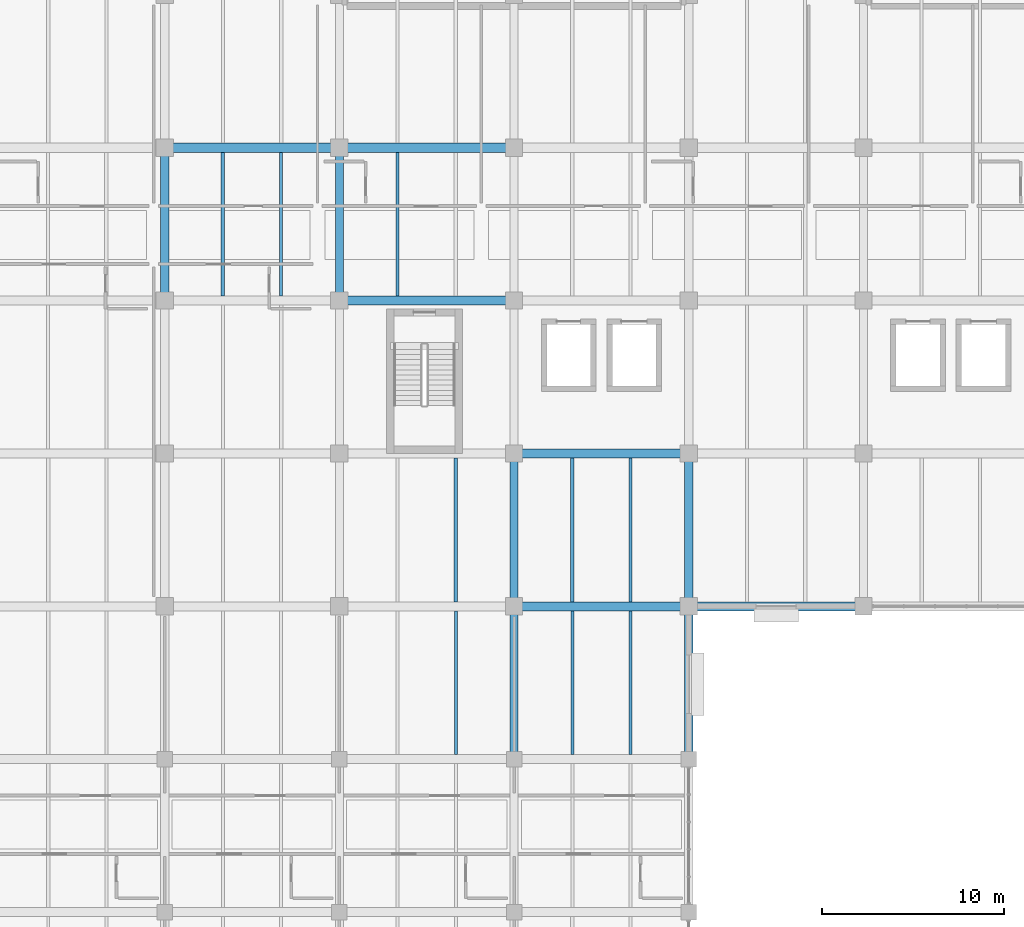
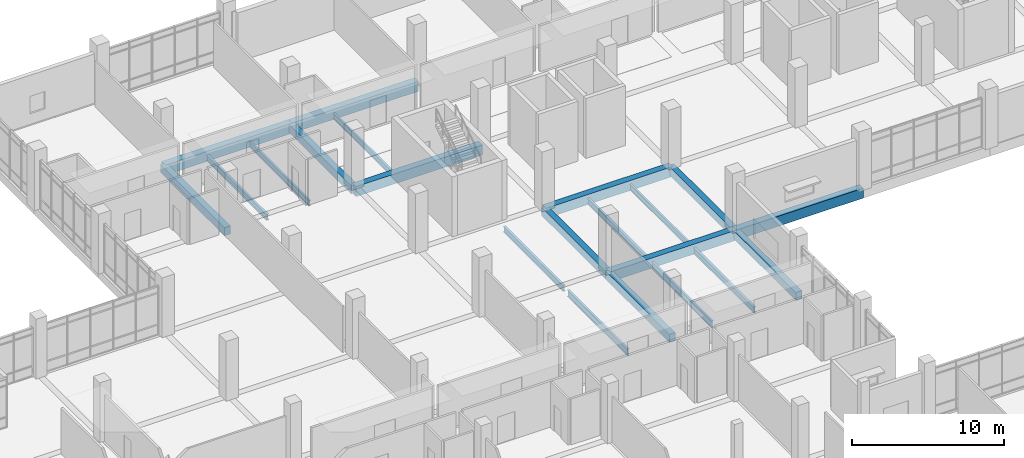
# One storey, part 71 of 152: 21 beams.
"""IFC4 building model written with IfcOpenShell, lengths in metres."""

from ifc_helpers import new_model, si_unit, direction, frame, origin, origin_2d, place, context, subcontext, project, spatial, rectangle, i_section, extrude, material, material_profile, profile_set, type_object, element, save


model = new_model("IFC4")

# Units and contexts
model_context = context("Model", 3, precision=1e-05, world=origin(), true_north=direction((0.0, 1.0)))
body_context = subcontext(model_context, "Body", "Model", "MODEL_VIEW")
ifc_project = project(units=[si_unit("LENGTHUNIT", "METRE"), si_unit("AREAUNIT", "SQUARE_METRE"), si_unit("VOLUMEUNIT", "CUBIC_METRE"), si_unit("PLANEANGLEUNIT", "RADIAN"), si_unit("MASSUNIT", "GRAM", prefix="KILO")], contexts=[model_context])

# Site, building, storey
site_placement = place(None, origin())
site = spatial("IfcSite", under=ifc_project, at=site_placement, CompositionType="ELEMENT")
building_placement = place(site_placement, origin())
building = spatial("IfcBuilding", under=site, at=building_placement, Name="Oolite Switchyard Hospital", CompositionType="ELEMENT")
storey_placement = place(building_placement, frame((0.0, 0.0, 5.10009765625)))
storey = spatial("IfcBuildingStorey", under=building, at=storey_placement, Name="L01", CompositionType="ELEMENT", Elevation=5.10009765625)

# Beams
ifc_material_1 = material(Name="Concrete C40/50", Category="concrete")
ifc_material_profile_1 = material_profile(ifc_material_1, rectangle(XDim=0.449951171875, YDim=0.64990234375, at=origin_2d()), Name="RCB450X650")
ifc_profile_set_1 = profile_set([ifc_material_profile_1], Name="Concrete C40/50")
beam_type_1 = type_object("IfcBeamType", Name="BM-RC450X650", PredefinedType="BEAM", material=ifc_profile_set_1)
for number, where, z_axis, x_axis, name in (
    (1, (144.0, 117.60009765625, -0.3251953125), (0.0, 1.0, 0.0), (-1.0, 0.0, 0.0), "L01 Y-Girder 472"),
    (2, (153.60009765625, 117.60009765625, -0.3251953125), (0.0, 1.0, 0.0), (-1.0, 0.0, 0.0), "L01 Y-Girder 485"),
):
    element("IfcBeam", number, at=place(storey_placement, frame(where, z_axis=z_axis, x_axis=x_axis)), inside=storey, type_object=beam_type_1, Name=name, PredefinedType="BEAM", context=body_context, shape_type="SweptSolid", body=[
        extrude(rectangle(XDim=0.449951171875, YDim=0.64990234375, at=origin_2d()), origin(), (0.0, 0.0, 1.0), 8.39990234375),
    ])
beam_1_placement = place(storey_placement, frame((163.199951171875, 92.39990234375, -0.3251953125), z_axis=(0.0, 1.0, 0.0), x_axis=(-1.0, 0.0, 0.0)))
element("IfcBeam", 3, at=beam_1_placement, inside=storey, type_object=beam_type_1, Name="L01 Y-Girder 494", PredefinedType="BEAM", context=body_context, shape_type="SweptSolid", body=[
    extrude(rectangle(XDim=0.449951171875, YDim=0.64990234375, at=origin_2d()), origin(), (0.0, 0.0, 1.0), 8.400146484375),
])
beam_2_placement = place(storey_placement, frame((163.199951171875, 100.800048828125, -0.3251953125), z_axis=(0.0, 1.0, 0.0), x_axis=(-1.0, 0.0, 0.0)))
element("IfcBeam", 4, at=beam_2_placement, inside=storey, type_object=beam_type_1, Name="L01 Y-Girder 495", PredefinedType="BEAM", context=body_context, shape_type="SweptSolid", body=[
    extrude(rectangle(XDim=0.449951171875, YDim=0.64990234375, at=origin_2d()), origin(), (0.0, 0.0, 1.0), 8.39990234375),
])
beam_3_placement = place(storey_placement, frame((172.800048828125, 92.39990234375, -0.3251953125), z_axis=(0.0, 1.0, 0.0), x_axis=(-1.0, 0.0, 0.0)))
element("IfcBeam", 5, at=beam_3_placement, inside=storey, type_object=beam_type_1, Name="L01 Y-Girder 504", PredefinedType="BEAM", context=body_context, shape_type="SweptSolid", body=[
    extrude(rectangle(XDim=0.449951171875, YDim=0.64990234375, at=origin_2d()), origin(), (0.0, 0.0, 1.0), 8.400146484375),
])
beam_4_placement = place(storey_placement, frame((172.800048828125, 100.800048828125, -0.3251953125), z_axis=(0.0, 1.0, 0.0), x_axis=(-1.0, 0.0, 0.0)))
element("IfcBeam", 6, at=beam_4_placement, inside=storey, type_object=beam_type_1, Name="L01 Y-Girder 505", PredefinedType="BEAM", context=body_context, shape_type="SweptSolid", body=[
    extrude(rectangle(XDim=0.449951171875, YDim=0.64990234375, at=origin_2d()), origin(), (0.0, 0.0, 1.0), 8.39990234375),
])
ifc_material_profile_2 = material_profile(ifc_material_1, rectangle(XDim=0.5, YDim=0.800048828125, at=origin_2d()), Name="RCB500X800")
ifc_profile_set_2 = profile_set([ifc_material_profile_2], Name="Concrete C40/50")
beam_type_2 = type_object("IfcBeamType", Name="BM-RC500X800", PredefinedType="BEAM", material=ifc_profile_set_2)
beam_5_placement = place(storey_placement, frame((163.199951171875, 100.800048828125, -0.400146484375), z_axis=(1.0, 0.0, 0.0), x_axis=(0.0, 1.0, 0.0)))
element("IfcBeam", 7, at=beam_5_placement, inside=storey, type_object=beam_type_2, Name="L01 X-Girder 214", PredefinedType="BEAM", context=body_context, shape_type="SweptSolid", body=[
    extrude(rectangle(XDim=0.5, YDim=0.800048828125, at=origin_2d()), origin(), (0.0, 0.0, 1.0), 9.60009765625),
])
beam_6_placement = place(storey_placement, frame((172.800048828125, 100.800048828125, -0.400146484375), z_axis=(1.0, 0.0, 0.0), x_axis=(0.0, 1.0, 0.0)))
element("IfcBeam", 8, at=beam_6_placement, inside=storey, type_object=beam_type_2, Name="L01 X-Girder 215", PredefinedType="BEAM", context=body_context, shape_type="SweptSolid", body=[
    extrude(rectangle(XDim=0.5, YDim=0.800048828125, at=origin_2d()), origin(), (0.0, 0.0, 1.0), 9.599853515625),
])
beam_7_placement = place(storey_placement, frame((163.199951171875, 109.199951171875, -0.400146484375), z_axis=(1.0, 0.0, 0.0), x_axis=(0.0, 1.0, 0.0)))
element("IfcBeam", 9, at=beam_7_placement, inside=storey, type_object=beam_type_2, Name="L01 X-Girder 234", PredefinedType="BEAM", context=body_context, shape_type="SweptSolid", body=[
    extrude(rectangle(XDim=0.5, YDim=0.800048828125, at=origin_2d()), origin(), (0.0, 0.0, 1.0), 9.60009765625),
])
beam_8_placement = place(storey_placement, frame((153.60009765625, 117.60009765625, -0.400146484375), z_axis=(1.0, 0.0, 0.0), x_axis=(0.0, 1.0, 0.0)))
element("IfcBeam", 10, at=beam_8_placement, inside=storey, type_object=beam_type_2, Name="L01 X-Girder 249", PredefinedType="BEAM", context=body_context, shape_type="SweptSolid", body=[
    extrude(rectangle(XDim=0.5, YDim=0.800048828125, at=origin_2d()), origin(), (0.0, 0.0, 1.0), 9.599853515625),
])
beam_9_placement = place(storey_placement, frame((144.0, 126.0, -0.400146484375), z_axis=(1.0, 0.0, 0.0), x_axis=(0.0, 1.0, 0.0)))
element("IfcBeam", 11, at=beam_9_placement, inside=storey, type_object=beam_type_2, Name="L01 X-Girder 264", PredefinedType="BEAM", context=body_context, shape_type="SweptSolid", body=[
    extrude(rectangle(XDim=0.5, YDim=0.800048828125, at=origin_2d()), origin(), (0.0, 0.0, 1.0), 9.60009765625),
])
beam_10_placement = place(storey_placement, frame((153.60009765625, 126.0, -0.400146484375), z_axis=(1.0, 0.0, 0.0), x_axis=(0.0, 1.0, 0.0)))
element("IfcBeam", 12, at=beam_10_placement, inside=storey, type_object=beam_type_2, Name="L01 X-Girder 265", PredefinedType="BEAM", context=body_context, shape_type="SweptSolid", body=[
    extrude(rectangle(XDim=0.5, YDim=0.800048828125, at=origin_2d()), origin(), (0.0, 0.0, 1.0), 9.599853515625),
])
ifc_material_2 = material(Name="Steel ASTM A992 Grade 50", Category="steel")
ifc_material_profile_3 = material_profile(ifc_material_2, i_section(OverallWidth=0.153076171875, OverallDepth=0.455078125, WebThickness=0.008056640625, FlangeThickness=0.012939453125, at=origin_2d()), Name="W18X40")
ifc_profile_set_3 = profile_set([ifc_material_profile_3], Name="Steel ASTM A992 Grade 50")
beam_type_3 = type_object("IfcBeamType", Name="BM-W18X40", PredefinedType="JOIST", material=ifc_profile_set_3)
for number, where, z_axis, x_axis, name in (
    (13, (150.39990234375, 117.85009765625, -0.503173828125), (0.0, 1.0, 0.0), (-1.0, 0.0, 0.0), "L01 Secondary Steel Joist 869"),
    (14, (156.800048828125, 117.85009765625, -0.503173828125), (0.0, 1.0, 0.0), (-1.0, 0.0, 0.0), "L01 Secondary Steel Joist 888"),
    (15, (169.60009765625, 101.050048828125, -0.503173828125), (0.0, 1.0, 0.0), (-1.0, 0.0, 0.0), "L01 Secondary Steel Joist 907"),
):
    element("IfcBeam", number, at=place(storey_placement, frame(where, z_axis=z_axis, x_axis=x_axis)), inside=storey, type_object=beam_type_3, Name=name, PredefinedType="JOIST", context=body_context, shape_type="SweptSolid", body=[
        extrude(i_section(OverallWidth=0.153076171875, OverallDepth=0.455078125, WebThickness=0.008056640625, FlangeThickness=0.012939453125, at=origin_2d()), origin(), (0.0, 0.0, 1.0), 7.89990234375),
    ])
ifc_material_profile_4 = material_profile(ifc_material_2, i_section(OverallWidth=0.19091796875, OverallDepth=0.4599609375, WebThickness=0.010009765625, FlangeThickness=0.01611328125, at=origin_2d()), Name="W18X55")
ifc_profile_set_4 = profile_set([ifc_material_profile_4], Name="Steel ASTM A992 Grade 50")
beam_type_4 = type_object("IfcBeamType", Name="BM-W18X55", PredefinedType="JOIST", material=ifc_profile_set_4)
for number, where, z_axis, x_axis, name in (
    (16, (147.199951171875, 117.85009765625, -0.505126953125), (0.0, 1.0, 0.0), (-1.0, 0.0, 0.0), "L01 Secondary Steel Joist 868"),
    (17, (160.0, 101.050048828125, -0.505126953125), (0.0, 1.0, 0.0), (-1.0, 0.0, 0.0), "L01 Secondary Steel Joist 887"),
):
    element("IfcBeam", number, at=place(storey_placement, frame(where, z_axis=z_axis, x_axis=x_axis)), inside=storey, type_object=beam_type_4, Name=name, PredefinedType="JOIST", context=body_context, shape_type="SweptSolid", body=[
        extrude(i_section(OverallWidth=0.19091796875, OverallDepth=0.4599609375, WebThickness=0.010009765625, FlangeThickness=0.01611328125, at=origin_2d()), origin(), (0.0, 0.0, 1.0), 7.89990234375),
    ])
beam_11_placement = place(storey_placement, frame((169.60009765625, 92.64990234375, -0.505126953125), z_axis=(0.0, 1.0, 0.0), x_axis=(-1.0, 0.0, 0.0)))
element("IfcBeam", 18, at=beam_11_placement, inside=storey, type_object=beam_type_4, Name="L01 Secondary Steel Joist 905", PredefinedType="JOIST", context=body_context, shape_type="SweptSolid", body=[
    extrude(i_section(OverallWidth=0.19091796875, OverallDepth=0.4599609375, WebThickness=0.010009765625, FlangeThickness=0.01611328125, at=origin_2d()), origin(), (0.0, 0.0, 1.0), 7.900146484375),
])
beam_12_placement = place(storey_placement, frame((166.39990234375, 101.050048828125, -0.505126953125), z_axis=(0.0, 1.0, 0.0), x_axis=(-1.0, 0.0, 0.0)))
element("IfcBeam", 19, at=beam_12_placement, inside=storey, type_object=beam_type_4, Name="L01 Secondary Steel Joist 906", PredefinedType="JOIST", context=body_context, shape_type="SweptSolid", body=[
    extrude(i_section(OverallWidth=0.19091796875, OverallDepth=0.4599609375, WebThickness=0.010009765625, FlangeThickness=0.01611328125, at=origin_2d()), origin(), (0.0, 0.0, 1.0), 7.89990234375),
])
ifc_material_profile_5 = material_profile(ifc_material_2, i_section(OverallWidth=0.166015625, OverallDepth=0.529052734375, WebThickness=0.010009765625, FlangeThickness=0.013916015625, at=origin_2d()), Name="W21X50")
ifc_profile_set_5 = profile_set([ifc_material_profile_5], Name="Steel ASTM A992 Grade 50")
beam_type_5 = type_object("IfcBeamType", Name="BM-W21X50", PredefinedType="JOIST", material=ifc_profile_set_5)
for number, where, z_axis, x_axis, name in (
    (20, (160.0, 92.64990234375, -0.5400390625), (0.0, 1.0, 0.0), (-1.0, 0.0, 0.0), "L01 Secondary Steel Joist 885"),
    (21, (166.39990234375, 92.64990234375, -0.5400390625), (0.0, 1.0, 0.0), (-1.0, 0.0, 0.0), "L01 Secondary Steel Joist 904"),
):
    element("IfcBeam", number, at=place(storey_placement, frame(where, z_axis=z_axis, x_axis=x_axis)), inside=storey, type_object=beam_type_5, Name=name, PredefinedType="JOIST", context=body_context, shape_type="SweptSolid", body=[
        extrude(i_section(OverallWidth=0.166015625, OverallDepth=0.529052734375, WebThickness=0.010009765625, FlangeThickness=0.013916015625, at=origin_2d()), origin(), (0.0, 0.0, 1.0), 7.900146484375),
    ])

save(model, "model.ifc")
